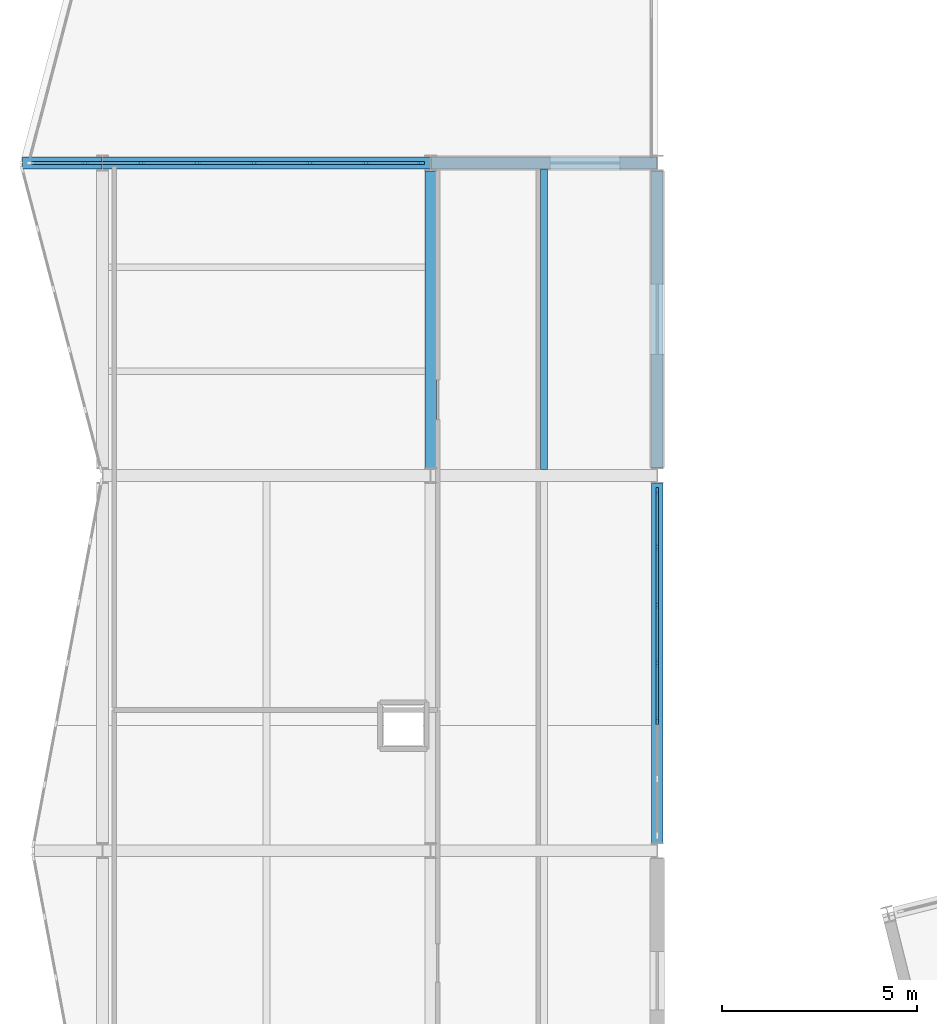
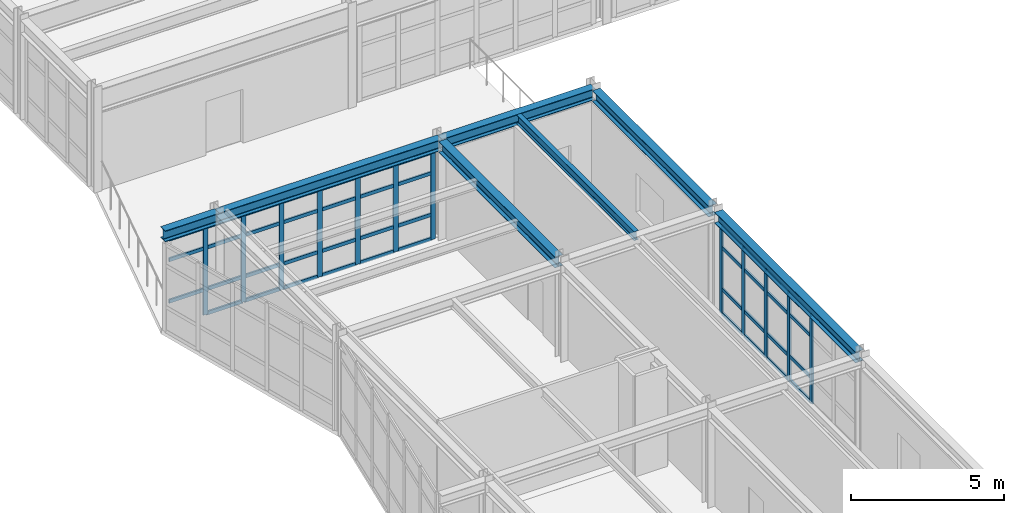
# One storey, part 13 of 47: 55 members, 7 beams, 2 elements without a shape of their own.
"""IFC4 building model written with IfcOpenShell, lengths in metres."""

from ifc_helpers import new_model, si_unit, direction, frame, origin, origin_2d, place, context, subcontext, project, spatial, rectangle, i_section, extrude, material, layer, layer_set, material_profile, profile_set, type_object, element, aggregate, save


model = new_model("IFC4")

# Units and contexts
model_context = context("Model", 3, precision=1e-05, world=origin(), true_north=direction((0.0, 1.0)))
body_context = subcontext(model_context, "Body", "Model", "MODEL_VIEW")
ifc_project = project(units=[si_unit("LENGTHUNIT", "METRE"), si_unit("AREAUNIT", "SQUARE_METRE"), si_unit("VOLUMEUNIT", "CUBIC_METRE"), si_unit("PLANEANGLEUNIT", "RADIAN"), si_unit("MASSUNIT", "GRAM", prefix="KILO")], contexts=[model_context])

# Site, building, storey
site_placement = place(None, origin())
site = spatial("IfcSite", under=ifc_project, at=site_placement, CompositionType="ELEMENT")
building_placement = place(site_placement, origin())
building = spatial("IfcBuilding", under=site, at=building_placement, Name="Nordkorset Police Headquarters", CompositionType="ELEMENT")
storey_placement = place(building_placement, frame((0.0, 0.0, 22.050048828125)))
storey = spatial("IfcBuildingStorey", under=building, at=storey_placement, Name="L05", CompositionType="ELEMENT", Elevation=22.050048828125)

# Beam
ifc_material_1 = material(Name="Steel S355J2", Category="steel")
ifc_material_profile_1 = material_profile(ifc_material_1, i_section(OverallWidth=0.169921875, OverallDepth=0.360107421875, WebThickness=0.008056640625, FlangeThickness=0.0126953125, FilletRadius=0.01806640625, at=origin_2d()), Name="IPE 360")
ifc_profile_set_1 = profile_set([ifc_material_profile_1], Name="Steel S355J2")
beam_type_1 = type_object("IfcBeamType", Name="Beam_IPE_360", PredefinedType="BEAM", material=ifc_profile_set_1)
beam_1_placement = place(storey_placement, frame((11.300048828125, 67.35009765625, 3.784912109375), z_axis=(0.0, 1.0, 0.0), x_axis=(-1.0, 0.0, 0.0)))
element("IfcBeam", 1, at=beam_1_placement, inside=storey, type_object=beam_type_1, Name="Composite Floor Beam V3 L05 1-4-1", PredefinedType="BEAM", context=body_context, shape_type="SweptSolid", body=[
    extrude(i_section(OverallWidth=0.169921875, OverallDepth=0.360107421875, WebThickness=0.008056640625, FlangeThickness=0.0126953125, FilletRadius=0.01806640625, at=origin_2d()), origin(), (0.0, 0.0, 1.0), 7.699951171875),
])

# Curtain wall, members
ifc_material_2 = material(Name="Aluminium alloy AW-6060", Category="aluminium")
ifc_layer_1 = layer(ifc_material_2, 0.179931640625, Name="Aluminium alloy AW-6060")
ifc_layer_set_1 = layer_set([ifc_layer_1], Name="Aluminium alloy AW-6060")
curtain_wall_type_1 = type_object("IfcCurtainWallType", Name="CW_Unit_888x350", PredefinedType="USERDEFINED", material=ifc_layer_set_1)
curtain_wall_1_placement = place(storey_placement, origin())
curtain_wall_1 = element("IfcCurtainWall", 2, at=curtain_wall_1_placement, inside=storey, type_object=curtain_wall_type_1, Name="Unitised Curtain Wall L05 V3E-3", ObjectType="UNITISED CURTAIN WALL", PredefinedType="USERDEFINED")
ifc_material_3 = material(Name="Aluminium alloy AW-6060", Category="aluminium")
ifc_material_profile_2 = material_profile(ifc_material_3, rectangle(XDim=0.06494140625, YDim=0.179931640625, at=origin_2d()), Name="ALU MULL 65x180")
ifc_profile_set_2 = profile_set([ifc_material_profile_2], Name="Aluminium alloy AW-6060")
member_type_1 = type_object("IfcMemberType", Name="CW_Mullion_65x180", PredefinedType="MULLION", material=ifc_profile_set_2)
member_1_placement = place(storey_placement, frame((14.199951171875, 60.919921875, 0.0), z_axis=(0.0, 0.0, 1.0), x_axis=(-1.0, 0.0, 0.0)))
member_1 = element("IfcMember", 3, at=member_1_placement, type_object=member_type_1, Name="CW-95 mullion 3", PredefinedType="MULLION", context=body_context, shape_type="SweptSolid", body=[
    extrude(rectangle(XDim=0.06494140625, YDim=0.179931640625, at=origin_2d()), origin(), (0.0, 0.0, 1.0), 3.5048828125),
])
member_2_placement = place(storey_placement, frame((14.199951171875, 62.39990234375, 0.0), z_axis=(0.0, 0.0, 1.0), x_axis=(-1.0, 0.0, 0.0)))
member_2 = element("IfcMember", 4, at=member_2_placement, type_object=member_type_1, Name="CW-95 mullion 4", PredefinedType="MULLION", context=body_context, shape_type="SweptSolid", body=[
    extrude(rectangle(XDim=0.06494140625, YDim=0.179931640625, at=origin_2d()), origin(), (0.0, 0.0, 1.0), 3.5048828125),
])
member_3_placement = place(storey_placement, frame((14.199951171875, 63.8798828125, 0.0), z_axis=(0.0, 0.0, 1.0), x_axis=(-1.0, 0.0, 0.0)))
member_3 = element("IfcMember", 5, at=member_3_placement, type_object=member_type_1, Name="CW-95 mullion 5", PredefinedType="MULLION", context=body_context, shape_type="SweptSolid", body=[
    extrude(rectangle(XDim=0.06494140625, YDim=0.179931640625, at=origin_2d()), origin(), (0.0, 0.0, 1.0), 3.5048828125),
])
member_4_placement = place(storey_placement, frame((14.199951171875, 65.360107421875, 0.0), z_axis=(0.0, 0.0, 1.0), x_axis=(-1.0, 0.0, 0.0)))
member_4 = element("IfcMember", 6, at=member_4_placement, type_object=member_type_1, Name="CW-95 mullion 6", PredefinedType="MULLION", context=body_context, shape_type="SweptSolid", body=[
    extrude(rectangle(XDim=0.06494140625, YDim=0.179931640625, at=origin_2d()), origin(), (0.0, 0.0, 1.0), 3.5048828125),
])
member_5_placement = place(storey_placement, frame((14.199951171875, 66.8076171875, 0.0), z_axis=(0.0, 0.0, 1.0), x_axis=(-1.0, 0.0, 0.0)))
member_5 = element("IfcMember", 7, at=member_5_placement, type_object=member_type_1, Name="CW-95 mullion 7", PredefinedType="MULLION", context=body_context, shape_type="SweptSolid", body=[
    extrude(rectangle(XDim=0.06494140625, YDim=0.179931640625, at=origin_2d()), origin(), (0.0, 0.0, 1.0), 3.5048828125),
])

ifc_material_4 = material(Name="Aluminium alloy AW-6060", Category="aluminium")
ifc_layer_2 = layer(ifc_material_4, 0.179931640625, Name="Aluminium alloy AW-6060")
ifc_layer_set_2 = layer_set([ifc_layer_2], Name="Aluminium alloy AW-6060")
curtain_wall_type_2 = type_object("IfcCurtainWallType", Name="CW_Unit_1006x350", PredefinedType="USERDEFINED", material=ifc_layer_set_2)
curtain_wall_2_placement = place(storey_placement, origin())
curtain_wall_2 = element("IfcCurtainWall", 8, at=curtain_wall_2_placement, inside=storey, type_object=curtain_wall_type_2, Name="Unitised Curtain Wall L05 V3N-L05A", ObjectType="UNITISED CURTAIN WALL", PredefinedType="USERDEFINED")
member_6_placement = place(storey_placement, frame((-0.44287109375, 75.199951171875, 0.0), z_axis=(0.0, 0.0, 1.0), x_axis=(0.0, 1.0, 0.0)))
member_6 = element("IfcMember", 9, at=member_6_placement, type_object=member_type_1, Name="CW-46 mullion 2", PredefinedType="MULLION", context=body_context, shape_type="SweptSolid", body=[
    extrude(rectangle(XDim=0.06494140625, YDim=0.179931640625, at=origin_2d()), origin(), (0.0, 0.0, 1.0), 3.5048828125),
])
member_7_placement = place(storey_placement, frame((0.994384765625, 75.199951171875, 0.0), z_axis=(0.0, 0.0, 1.0), x_axis=(0.0, 1.0, 0.0)))
member_7 = element("IfcMember", 10, at=member_7_placement, type_object=member_type_1, Name="CW-46 mullion 3", PredefinedType="MULLION", context=body_context, shape_type="SweptSolid", body=[
    extrude(rectangle(XDim=0.06494140625, YDim=0.179931640625, at=origin_2d()), origin(), (0.0, 0.0, 1.0), 3.5048828125),
])
member_8_placement = place(storey_placement, frame((2.431396484375, 75.199951171875, 0.0), z_axis=(0.0, 0.0, 1.0), x_axis=(0.0, 1.0, 0.0)))
member_8 = element("IfcMember", 11, at=member_8_placement, type_object=member_type_1, Name="CW-46 mullion 4", PredefinedType="MULLION", context=body_context, shape_type="SweptSolid", body=[
    extrude(rectangle(XDim=0.06494140625, YDim=0.179931640625, at=origin_2d()), origin(), (0.0, 0.0, 1.0), 3.5048828125),
])
member_9_placement = place(storey_placement, frame((3.86865234375, 75.199951171875, 0.0), z_axis=(0.0, 0.0, 1.0), x_axis=(0.0, 1.0, 0.0)))
member_9 = element("IfcMember", 12, at=member_9_placement, type_object=member_type_1, Name="CW-46 mullion 5", PredefinedType="MULLION", context=body_context, shape_type="SweptSolid", body=[
    extrude(rectangle(XDim=0.06494140625, YDim=0.179931640625, at=origin_2d()), origin(), (0.0, 0.0, 1.0), 3.5048828125),
])
member_10_placement = place(storey_placement, frame((5.3056640625, 75.199951171875, 0.0), z_axis=(0.0, 0.0, 1.0), x_axis=(0.0, 1.0, 0.0)))
member_10 = element("IfcMember", 13, at=member_10_placement, type_object=member_type_1, Name="CW-46 mullion 6", PredefinedType="MULLION", context=body_context, shape_type="SweptSolid", body=[
    extrude(rectangle(XDim=0.06494140625, YDim=0.179931640625, at=origin_2d()), origin(), (0.0, 0.0, 1.0), 3.5048828125),
])
member_11_placement = place(storey_placement, frame((6.742919921875, 75.199951171875, 0.0), z_axis=(0.0, 0.0, 1.0), x_axis=(0.0, 1.0, 0.0)))
member_11 = element("IfcMember", 14, at=member_11_placement, type_object=member_type_1, Name="CW-46 mullion 7", PredefinedType="MULLION", context=body_context, shape_type="SweptSolid", body=[
    extrude(rectangle(XDim=0.06494140625, YDim=0.179931640625, at=origin_2d()), origin(), (0.0, 0.0, 1.0), 3.5048828125),
])
member_12_placement = place(storey_placement, frame((8.1474609375, 75.199951171875, 0.0), z_axis=(0.0, 0.0, 1.0), x_axis=(0.0, 1.0, 0.0)))
member_12 = element("IfcMember", 15, at=member_12_placement, type_object=member_type_1, Name="CW-46 mullion 8", PredefinedType="MULLION", context=body_context, shape_type="SweptSolid", body=[
    extrude(rectangle(XDim=0.06494140625, YDim=0.179931640625, at=origin_2d()), origin(), (0.0, 0.0, 1.0), 3.5048828125),
])

# Member
ifc_material_5 = material(Name="Aluminium alloy AW-6060", Category="aluminium")
ifc_material_profile_3 = material_profile(ifc_material_5, rectangle(XDim=0.06494140625, YDim=0.139892578125, at=origin_2d()), Name="ALU TRAN 65x140")
ifc_profile_set_3 = profile_set([ifc_material_profile_3], Name="Aluminium alloy AW-6060")
member_type_2 = type_object("IfcMemberType", Name="CW_Transom_65x140", PredefinedType="USERDEFINED", material=ifc_profile_set_3)
member_13_placement = place(storey_placement, frame((14.199951171875, 60.952392578125, 0.032470703125), z_axis=(0.0, 1.0, 0.0), x_axis=(-1.0, 0.0, 0.0)))
member_13 = element("IfcMember", 16, at=member_13_placement, type_object=member_type_2, Name="CW-95 transom 3.1", ObjectType="TRANSOM", PredefinedType="USERDEFINED", context=body_context, shape_type="SweptSolid", body=[
    extrude(rectangle(XDim=0.06494140625, YDim=0.139892578125, at=origin_2d()), origin(), (0.0, 0.0, 1.0), 1.4150390625),
])

member_14_placement = place(storey_placement, frame((14.199951171875, 60.952392578125, 1.0), z_axis=(0.0, 1.0, 0.0), x_axis=(-1.0, 0.0, 0.0)))
member_14 = element("IfcMember", 17, at=member_14_placement, type_object=member_type_2, Name="CW-95 transom 3.2", ObjectType="TRANSOM", PredefinedType="USERDEFINED", context=body_context, shape_type="SweptSolid", body=[
    extrude(rectangle(XDim=0.06494140625, YDim=0.139892578125, at=origin_2d()), origin(), (0.0, 0.0, 1.0), 1.4150390625),
])

member_15_placement = place(storey_placement, frame((14.199951171875, 60.952392578125, 2.655029296875), z_axis=(0.0, 1.0, 0.0), x_axis=(-1.0, 0.0, 0.0)))
member_15 = element("IfcMember", 18, at=member_15_placement, type_object=member_type_2, Name="CW-95 transom 3.3", ObjectType="TRANSOM", PredefinedType="USERDEFINED", context=body_context, shape_type="SweptSolid", body=[
    extrude(rectangle(XDim=0.06494140625, YDim=0.139892578125, at=origin_2d()), origin(), (0.0, 0.0, 1.0), 1.4150390625),
])

member_16_placement = place(storey_placement, frame((14.199951171875, 60.952392578125, 3.472412109375), z_axis=(0.0, 1.0, 0.0), x_axis=(-1.0, 0.0, 0.0)))
member_16 = element("IfcMember", 19, at=member_16_placement, type_object=member_type_2, Name="CW-95 transom 3.4", ObjectType="TRANSOM", PredefinedType="USERDEFINED", context=body_context, shape_type="SweptSolid", body=[
    extrude(rectangle(XDim=0.06494140625, YDim=0.139892578125, at=origin_2d()), origin(), (0.0, 0.0, 1.0), 1.4150390625),
])

member_17_placement = place(storey_placement, frame((14.199951171875, 62.4326171875, 0.032470703125), z_axis=(0.0, 1.0, 0.0), x_axis=(-1.0, 0.0, 0.0)))
member_17 = element("IfcMember", 20, at=member_17_placement, type_object=member_type_2, Name="CW-95 transom 4.1", ObjectType="TRANSOM", PredefinedType="USERDEFINED", context=body_context, shape_type="SweptSolid", body=[
    extrude(rectangle(XDim=0.06494140625, YDim=0.139892578125, at=origin_2d()), origin(), (0.0, 0.0, 1.0), 1.414794921875),
])

member_18_placement = place(storey_placement, frame((14.199951171875, 62.4326171875, 1.0), z_axis=(0.0, 1.0, 0.0), x_axis=(-1.0, 0.0, 0.0)))
member_18 = element("IfcMember", 21, at=member_18_placement, type_object=member_type_2, Name="CW-95 transom 4.2", ObjectType="TRANSOM", PredefinedType="USERDEFINED", context=body_context, shape_type="SweptSolid", body=[
    extrude(rectangle(XDim=0.06494140625, YDim=0.139892578125, at=origin_2d()), origin(), (0.0, 0.0, 1.0), 1.414794921875),
])

member_19_placement = place(storey_placement, frame((14.199951171875, 62.4326171875, 2.655029296875), z_axis=(0.0, 1.0, 0.0), x_axis=(-1.0, 0.0, 0.0)))
member_19 = element("IfcMember", 22, at=member_19_placement, type_object=member_type_2, Name="CW-95 transom 4.3", ObjectType="TRANSOM", PredefinedType="USERDEFINED", context=body_context, shape_type="SweptSolid", body=[
    extrude(rectangle(XDim=0.06494140625, YDim=0.139892578125, at=origin_2d()), origin(), (0.0, 0.0, 1.0), 1.414794921875),
])

member_20_placement = place(storey_placement, frame((14.199951171875, 62.4326171875, 3.472412109375), z_axis=(0.0, 1.0, 0.0), x_axis=(-1.0, 0.0, 0.0)))
member_20 = element("IfcMember", 23, at=member_20_placement, type_object=member_type_2, Name="CW-95 transom 4.4", ObjectType="TRANSOM", PredefinedType="USERDEFINED", context=body_context, shape_type="SweptSolid", body=[
    extrude(rectangle(XDim=0.06494140625, YDim=0.139892578125, at=origin_2d()), origin(), (0.0, 0.0, 1.0), 1.414794921875),
])

member_21_placement = place(storey_placement, frame((14.199951171875, 63.91259765625, 0.032470703125), z_axis=(0.0, 1.0, 0.0), x_axis=(-1.0, 0.0, 0.0)))
member_21 = element("IfcMember", 24, at=member_21_placement, type_object=member_type_2, Name="CW-95 transom 5.1", ObjectType="TRANSOM", PredefinedType="USERDEFINED", context=body_context, shape_type="SweptSolid", body=[
    extrude(rectangle(XDim=0.06494140625, YDim=0.139892578125, at=origin_2d()), origin(), (0.0, 0.0, 1.0), 1.414794921875),
])

member_22_placement = place(storey_placement, frame((14.199951171875, 63.91259765625, 1.0), z_axis=(0.0, 1.0, 0.0), x_axis=(-1.0, 0.0, 0.0)))
member_22 = element("IfcMember", 25, at=member_22_placement, type_object=member_type_2, Name="CW-95 transom 5.2", ObjectType="TRANSOM", PredefinedType="USERDEFINED", context=body_context, shape_type="SweptSolid", body=[
    extrude(rectangle(XDim=0.06494140625, YDim=0.139892578125, at=origin_2d()), origin(), (0.0, 0.0, 1.0), 1.414794921875),
])

member_23_placement = place(storey_placement, frame((14.199951171875, 63.91259765625, 2.655029296875), z_axis=(0.0, 1.0, 0.0), x_axis=(-1.0, 0.0, 0.0)))
member_23 = element("IfcMember", 26, at=member_23_placement, type_object=member_type_2, Name="CW-95 transom 5.3", ObjectType="TRANSOM", PredefinedType="USERDEFINED", context=body_context, shape_type="SweptSolid", body=[
    extrude(rectangle(XDim=0.06494140625, YDim=0.139892578125, at=origin_2d()), origin(), (0.0, 0.0, 1.0), 1.414794921875),
])

member_24_placement = place(storey_placement, frame((14.199951171875, 63.91259765625, 3.472412109375), z_axis=(0.0, 1.0, 0.0), x_axis=(-1.0, 0.0, 0.0)))
member_24 = element("IfcMember", 27, at=member_24_placement, type_object=member_type_2, Name="CW-95 transom 5.4", ObjectType="TRANSOM", PredefinedType="USERDEFINED", context=body_context, shape_type="SweptSolid", body=[
    extrude(rectangle(XDim=0.06494140625, YDim=0.139892578125, at=origin_2d()), origin(), (0.0, 0.0, 1.0), 1.414794921875),
])

member_25_placement = place(storey_placement, frame((14.199951171875, 65.392578125, 0.032470703125), z_axis=(0.0, 1.0, 0.0), x_axis=(-1.0, 0.0, 0.0)))
member_25 = element("IfcMember", 28, at=member_25_placement, type_object=member_type_2, Name="CW-95 transom 6.1", ObjectType="TRANSOM", PredefinedType="USERDEFINED", context=body_context, shape_type="SweptSolid", body=[
    extrude(rectangle(XDim=0.06494140625, YDim=0.139892578125, at=origin_2d()), origin(), (0.0, 0.0, 1.0), 1.38232421875),
])

member_26_placement = place(storey_placement, frame((14.199951171875, 65.392578125, 1.0), z_axis=(0.0, 1.0, 0.0), x_axis=(-1.0, 0.0, 0.0)))
member_26 = element("IfcMember", 29, at=member_26_placement, type_object=member_type_2, Name="CW-95 transom 6.2", ObjectType="TRANSOM", PredefinedType="USERDEFINED", context=body_context, shape_type="SweptSolid", body=[
    extrude(rectangle(XDim=0.06494140625, YDim=0.139892578125, at=origin_2d()), origin(), (0.0, 0.0, 1.0), 1.38232421875),
])

member_27_placement = place(storey_placement, frame((14.199951171875, 65.392578125, 2.655029296875), z_axis=(0.0, 1.0, 0.0), x_axis=(-1.0, 0.0, 0.0)))
member_27 = element("IfcMember", 30, at=member_27_placement, type_object=member_type_2, Name="CW-95 transom 6.3", ObjectType="TRANSOM", PredefinedType="USERDEFINED", context=body_context, shape_type="SweptSolid", body=[
    extrude(rectangle(XDim=0.06494140625, YDim=0.139892578125, at=origin_2d()), origin(), (0.0, 0.0, 1.0), 1.38232421875),
])

member_28_placement = place(storey_placement, frame((14.199951171875, 65.392578125, 3.472412109375), z_axis=(0.0, 1.0, 0.0), x_axis=(-1.0, 0.0, 0.0)))
member_28 = element("IfcMember", 31, at=member_28_placement, type_object=member_type_2, Name="CW-95 transom 6.4", ObjectType="TRANSOM", PredefinedType="USERDEFINED", context=body_context, shape_type="SweptSolid", body=[
    extrude(rectangle(XDim=0.06494140625, YDim=0.139892578125, at=origin_2d()), origin(), (0.0, 0.0, 1.0), 1.38232421875),
])

aggregate(curtain_wall_1, [member_1, member_2, member_3, member_4, member_5, member_13, member_14, member_15, member_16, member_17, member_18, member_19, member_20, member_21, member_22, member_23, member_24, member_25, member_26, member_27, member_28])

member_29_placement = place(storey_placement, frame((-1.81494140625, 75.199951171875, 1.0), z_axis=(1.0, 0.0, 0.0), x_axis=(0.0, 1.0, 0.0)))
member_29 = element("IfcMember", 32, at=member_29_placement, type_object=member_type_2, Name="CW-46 transom 1.2", ObjectType="TRANSOM", PredefinedType="USERDEFINED", context=body_context, shape_type="SweptSolid", body=[
    extrude(rectangle(XDim=0.06494140625, YDim=0.139892578125, at=origin_2d()), origin(), (0.0, 0.0, 1.0), 1.339599609375),
])

member_30_placement = place(storey_placement, frame((-1.81494140625, 75.199951171875, 2.655029296875), z_axis=(1.0, 0.0, 0.0), x_axis=(0.0, 1.0, 0.0)))
member_30 = element("IfcMember", 33, at=member_30_placement, type_object=member_type_2, Name="CW-46 transom 1.3", ObjectType="TRANSOM", PredefinedType="USERDEFINED", context=body_context, shape_type="SweptSolid", body=[
    extrude(rectangle(XDim=0.06494140625, YDim=0.139892578125, at=origin_2d()), origin(), (0.0, 0.0, 1.0), 1.339599609375),
])

member_31_placement = place(storey_placement, frame((-1.81494140625, 75.199951171875, 3.472412109375), z_axis=(1.0, 0.0, 0.0), x_axis=(0.0, 1.0, 0.0)))
member_31 = element("IfcMember", 34, at=member_31_placement, type_object=member_type_2, Name="CW-46 transom 1.4", ObjectType="TRANSOM", PredefinedType="USERDEFINED", context=body_context, shape_type="SweptSolid", body=[
    extrude(rectangle(XDim=0.06494140625, YDim=0.139892578125, at=origin_2d()), origin(), (0.0, 0.0, 1.0), 1.339599609375),
])

member_32_placement = place(storey_placement, frame((-0.410400390625, 75.199951171875, 0.032470703125), z_axis=(1.0, 0.0, 0.0), x_axis=(0.0, 1.0, 0.0)))
member_32 = element("IfcMember", 35, at=member_32_placement, type_object=member_type_2, Name="CW-46 transom 2.1", ObjectType="TRANSOM", PredefinedType="USERDEFINED", context=body_context, shape_type="SweptSolid", body=[
    extrude(rectangle(XDim=0.06494140625, YDim=0.139892578125, at=origin_2d()), origin(), (0.0, 0.0, 1.0), 1.3720703125),
])

member_33_placement = place(storey_placement, frame((-0.410400390625, 75.199951171875, 1.0), z_axis=(1.0, 0.0, 0.0), x_axis=(0.0, 1.0, 0.0)))
member_33 = element("IfcMember", 36, at=member_33_placement, type_object=member_type_2, Name="CW-46 transom 2.2", ObjectType="TRANSOM", PredefinedType="USERDEFINED", context=body_context, shape_type="SweptSolid", body=[
    extrude(rectangle(XDim=0.06494140625, YDim=0.139892578125, at=origin_2d()), origin(), (0.0, 0.0, 1.0), 1.3720703125),
])

member_34_placement = place(storey_placement, frame((-0.410400390625, 75.199951171875, 2.655029296875), z_axis=(1.0, 0.0, 0.0), x_axis=(0.0, 1.0, 0.0)))
member_34 = element("IfcMember", 37, at=member_34_placement, type_object=member_type_2, Name="CW-46 transom 2.3", ObjectType="TRANSOM", PredefinedType="USERDEFINED", context=body_context, shape_type="SweptSolid", body=[
    extrude(rectangle(XDim=0.06494140625, YDim=0.139892578125, at=origin_2d()), origin(), (0.0, 0.0, 1.0), 1.3720703125),
])

member_35_placement = place(storey_placement, frame((-0.410400390625, 75.199951171875, 3.472412109375), z_axis=(1.0, 0.0, 0.0), x_axis=(0.0, 1.0, 0.0)))
member_35 = element("IfcMember", 38, at=member_35_placement, type_object=member_type_2, Name="CW-46 transom 2.4", ObjectType="TRANSOM", PredefinedType="USERDEFINED", context=body_context, shape_type="SweptSolid", body=[
    extrude(rectangle(XDim=0.06494140625, YDim=0.139892578125, at=origin_2d()), origin(), (0.0, 0.0, 1.0), 1.3720703125),
])

member_36_placement = place(storey_placement, frame((1.02685546875, 75.199951171875, 0.032470703125), z_axis=(1.0, 0.0, 0.0), x_axis=(0.0, 1.0, 0.0)))
member_36 = element("IfcMember", 39, at=member_36_placement, type_object=member_type_2, Name="CW-46 transom 3.1", ObjectType="TRANSOM", PredefinedType="USERDEFINED", context=body_context, shape_type="SweptSolid", body=[
    extrude(rectangle(XDim=0.06494140625, YDim=0.139892578125, at=origin_2d()), origin(), (0.0, 0.0, 1.0), 1.3720703125),
])

member_37_placement = place(storey_placement, frame((1.02685546875, 75.199951171875, 1.0), z_axis=(1.0, 0.0, 0.0), x_axis=(0.0, 1.0, 0.0)))
member_37 = element("IfcMember", 40, at=member_37_placement, type_object=member_type_2, Name="CW-46 transom 3.2", ObjectType="TRANSOM", PredefinedType="USERDEFINED", context=body_context, shape_type="SweptSolid", body=[
    extrude(rectangle(XDim=0.06494140625, YDim=0.139892578125, at=origin_2d()), origin(), (0.0, 0.0, 1.0), 1.3720703125),
])

member_38_placement = place(storey_placement, frame((1.02685546875, 75.199951171875, 2.655029296875), z_axis=(1.0, 0.0, 0.0), x_axis=(0.0, 1.0, 0.0)))
member_38 = element("IfcMember", 41, at=member_38_placement, type_object=member_type_2, Name="CW-46 transom 3.3", ObjectType="TRANSOM", PredefinedType="USERDEFINED", context=body_context, shape_type="SweptSolid", body=[
    extrude(rectangle(XDim=0.06494140625, YDim=0.139892578125, at=origin_2d()), origin(), (0.0, 0.0, 1.0), 1.3720703125),
])

member_39_placement = place(storey_placement, frame((1.02685546875, 75.199951171875, 3.472412109375), z_axis=(1.0, 0.0, 0.0), x_axis=(0.0, 1.0, 0.0)))
member_39 = element("IfcMember", 42, at=member_39_placement, type_object=member_type_2, Name="CW-46 transom 3.4", ObjectType="TRANSOM", PredefinedType="USERDEFINED", context=body_context, shape_type="SweptSolid", body=[
    extrude(rectangle(XDim=0.06494140625, YDim=0.139892578125, at=origin_2d()), origin(), (0.0, 0.0, 1.0), 1.3720703125),
])

member_40_placement = place(storey_placement, frame((2.4638671875, 75.199951171875, 0.032470703125), z_axis=(1.0, 0.0, 0.0), x_axis=(0.0, 1.0, 0.0)))
member_40 = element("IfcMember", 43, at=member_40_placement, type_object=member_type_2, Name="CW-46 transom 4.1", ObjectType="TRANSOM", PredefinedType="USERDEFINED", context=body_context, shape_type="SweptSolid", body=[
    extrude(rectangle(XDim=0.06494140625, YDim=0.139892578125, at=origin_2d()), origin(), (0.0, 0.0, 1.0), 1.372314453125),
])

member_41_placement = place(storey_placement, frame((2.4638671875, 75.199951171875, 1.0), z_axis=(1.0, 0.0, 0.0), x_axis=(0.0, 1.0, 0.0)))
member_41 = element("IfcMember", 44, at=member_41_placement, type_object=member_type_2, Name="CW-46 transom 4.2", ObjectType="TRANSOM", PredefinedType="USERDEFINED", context=body_context, shape_type="SweptSolid", body=[
    extrude(rectangle(XDim=0.06494140625, YDim=0.139892578125, at=origin_2d()), origin(), (0.0, 0.0, 1.0), 1.372314453125),
])

member_42_placement = place(storey_placement, frame((2.4638671875, 75.199951171875, 2.655029296875), z_axis=(1.0, 0.0, 0.0), x_axis=(0.0, 1.0, 0.0)))
member_42 = element("IfcMember", 45, at=member_42_placement, type_object=member_type_2, Name="CW-46 transom 4.3", ObjectType="TRANSOM", PredefinedType="USERDEFINED", context=body_context, shape_type="SweptSolid", body=[
    extrude(rectangle(XDim=0.06494140625, YDim=0.139892578125, at=origin_2d()), origin(), (0.0, 0.0, 1.0), 1.372314453125),
])

member_43_placement = place(storey_placement, frame((2.4638671875, 75.199951171875, 3.472412109375), z_axis=(1.0, 0.0, 0.0), x_axis=(0.0, 1.0, 0.0)))
member_43 = element("IfcMember", 46, at=member_43_placement, type_object=member_type_2, Name="CW-46 transom 4.4", ObjectType="TRANSOM", PredefinedType="USERDEFINED", context=body_context, shape_type="SweptSolid", body=[
    extrude(rectangle(XDim=0.06494140625, YDim=0.139892578125, at=origin_2d()), origin(), (0.0, 0.0, 1.0), 1.372314453125),
])

member_44_placement = place(storey_placement, frame((3.901123046875, 75.199951171875, 0.032470703125), z_axis=(1.0, 0.0, 0.0), x_axis=(0.0, 1.0, 0.0)))
member_44 = element("IfcMember", 47, at=member_44_placement, type_object=member_type_2, Name="CW-46 transom 5.1", ObjectType="TRANSOM", PredefinedType="USERDEFINED", context=body_context, shape_type="SweptSolid", body=[
    extrude(rectangle(XDim=0.06494140625, YDim=0.139892578125, at=origin_2d()), origin(), (0.0, 0.0, 1.0), 1.3720703125),
])

member_45_placement = place(storey_placement, frame((3.901123046875, 75.199951171875, 1.0), z_axis=(1.0, 0.0, 0.0), x_axis=(0.0, 1.0, 0.0)))
member_45 = element("IfcMember", 48, at=member_45_placement, type_object=member_type_2, Name="CW-46 transom 5.2", ObjectType="TRANSOM", PredefinedType="USERDEFINED", context=body_context, shape_type="SweptSolid", body=[
    extrude(rectangle(XDim=0.06494140625, YDim=0.139892578125, at=origin_2d()), origin(), (0.0, 0.0, 1.0), 1.3720703125),
])

member_46_placement = place(storey_placement, frame((3.901123046875, 75.199951171875, 2.655029296875), z_axis=(1.0, 0.0, 0.0), x_axis=(0.0, 1.0, 0.0)))
member_46 = element("IfcMember", 49, at=member_46_placement, type_object=member_type_2, Name="CW-46 transom 5.3", ObjectType="TRANSOM", PredefinedType="USERDEFINED", context=body_context, shape_type="SweptSolid", body=[
    extrude(rectangle(XDim=0.06494140625, YDim=0.139892578125, at=origin_2d()), origin(), (0.0, 0.0, 1.0), 1.3720703125),
])

member_47_placement = place(storey_placement, frame((3.901123046875, 75.199951171875, 3.472412109375), z_axis=(1.0, 0.0, 0.0), x_axis=(0.0, 1.0, 0.0)))
member_47 = element("IfcMember", 50, at=member_47_placement, type_object=member_type_2, Name="CW-46 transom 5.4", ObjectType="TRANSOM", PredefinedType="USERDEFINED", context=body_context, shape_type="SweptSolid", body=[
    extrude(rectangle(XDim=0.06494140625, YDim=0.139892578125, at=origin_2d()), origin(), (0.0, 0.0, 1.0), 1.3720703125),
])

member_48_placement = place(storey_placement, frame((5.338134765625, 75.199951171875, 0.032470703125), z_axis=(1.0, 0.0, 0.0), x_axis=(0.0, 1.0, 0.0)))
member_48 = element("IfcMember", 51, at=member_48_placement, type_object=member_type_2, Name="CW-46 transom 6.1", ObjectType="TRANSOM", PredefinedType="USERDEFINED", context=body_context, shape_type="SweptSolid", body=[
    extrude(rectangle(XDim=0.06494140625, YDim=0.139892578125, at=origin_2d()), origin(), (0.0, 0.0, 1.0), 1.372314453125),
])

member_49_placement = place(storey_placement, frame((5.338134765625, 75.199951171875, 1.0), z_axis=(1.0, 0.0, 0.0), x_axis=(0.0, 1.0, 0.0)))
member_49 = element("IfcMember", 52, at=member_49_placement, type_object=member_type_2, Name="CW-46 transom 6.2", ObjectType="TRANSOM", PredefinedType="USERDEFINED", context=body_context, shape_type="SweptSolid", body=[
    extrude(rectangle(XDim=0.06494140625, YDim=0.139892578125, at=origin_2d()), origin(), (0.0, 0.0, 1.0), 1.372314453125),
])

member_50_placement = place(storey_placement, frame((5.338134765625, 75.199951171875, 2.655029296875), z_axis=(1.0, 0.0, 0.0), x_axis=(0.0, 1.0, 0.0)))
member_50 = element("IfcMember", 53, at=member_50_placement, type_object=member_type_2, Name="CW-46 transom 6.3", ObjectType="TRANSOM", PredefinedType="USERDEFINED", context=body_context, shape_type="SweptSolid", body=[
    extrude(rectangle(XDim=0.06494140625, YDim=0.139892578125, at=origin_2d()), origin(), (0.0, 0.0, 1.0), 1.372314453125),
])

member_51_placement = place(storey_placement, frame((5.338134765625, 75.199951171875, 3.472412109375), z_axis=(1.0, 0.0, 0.0), x_axis=(0.0, 1.0, 0.0)))
member_51 = element("IfcMember", 54, at=member_51_placement, type_object=member_type_2, Name="CW-46 transom 6.4", ObjectType="TRANSOM", PredefinedType="USERDEFINED", context=body_context, shape_type="SweptSolid", body=[
    extrude(rectangle(XDim=0.06494140625, YDim=0.139892578125, at=origin_2d()), origin(), (0.0, 0.0, 1.0), 1.372314453125),
])

member_52_placement = place(storey_placement, frame((6.775390625, 75.199951171875, 0.032470703125), z_axis=(1.0, 0.0, 0.0), x_axis=(0.0, 1.0, 0.0)))
member_52 = element("IfcMember", 55, at=member_52_placement, type_object=member_type_2, Name="CW-46 transom 7.1", ObjectType="TRANSOM", PredefinedType="USERDEFINED", context=body_context, shape_type="SweptSolid", body=[
    extrude(rectangle(XDim=0.06494140625, YDim=0.139892578125, at=origin_2d()), origin(), (0.0, 0.0, 1.0), 1.339599609375),
])

member_53_placement = place(storey_placement, frame((6.775390625, 75.199951171875, 1.0), z_axis=(1.0, 0.0, 0.0), x_axis=(0.0, 1.0, 0.0)))
member_53 = element("IfcMember", 56, at=member_53_placement, type_object=member_type_2, Name="CW-46 transom 7.2", ObjectType="TRANSOM", PredefinedType="USERDEFINED", context=body_context, shape_type="SweptSolid", body=[
    extrude(rectangle(XDim=0.06494140625, YDim=0.139892578125, at=origin_2d()), origin(), (0.0, 0.0, 1.0), 1.339599609375),
])

member_54_placement = place(storey_placement, frame((6.775390625, 75.199951171875, 2.655029296875), z_axis=(1.0, 0.0, 0.0), x_axis=(0.0, 1.0, 0.0)))
member_54 = element("IfcMember", 57, at=member_54_placement, type_object=member_type_2, Name="CW-46 transom 7.3", ObjectType="TRANSOM", PredefinedType="USERDEFINED", context=body_context, shape_type="SweptSolid", body=[
    extrude(rectangle(XDim=0.06494140625, YDim=0.139892578125, at=origin_2d()), origin(), (0.0, 0.0, 1.0), 1.339599609375),
])

member_55_placement = place(storey_placement, frame((6.775390625, 75.199951171875, 3.472412109375), z_axis=(1.0, 0.0, 0.0), x_axis=(0.0, 1.0, 0.0)))
member_55 = element("IfcMember", 58, at=member_55_placement, type_object=member_type_2, Name="CW-46 transom 7.4", ObjectType="TRANSOM", PredefinedType="USERDEFINED", context=body_context, shape_type="SweptSolid", body=[
    extrude(rectangle(XDim=0.06494140625, YDim=0.139892578125, at=origin_2d()), origin(), (0.0, 0.0, 1.0), 1.339599609375),
])

aggregate(curtain_wall_2, [member_6, member_7, member_8, member_9, member_10, member_11, member_12, member_29, member_30, member_31, member_32, member_33, member_34, member_35, member_36, member_37, member_38, member_39, member_40, member_41, member_42, member_43, member_44, member_45, member_46, member_47, member_48, member_49, member_50, member_51, member_52, member_53, member_54, member_55])

# Beams
ifc_material_6 = material(Name="Steel S355J2", Category="steel")
ifc_material_profile_4 = material_profile(ifc_material_6, i_section(OverallWidth=0.300048828125, OverallDepth=0.43994140625, WebThickness=0.011474609375, FlangeThickness=0.02099609375, FilletRadius=0.027099609375, at=origin_2d()), Name="HEA 450")
ifc_profile_set_4 = profile_set([ifc_material_profile_4], Name="Steel S355J2")
beam_type_2 = type_object("IfcBeamType", Name="Girder_HEA_450", PredefinedType="USERDEFINED", material=ifc_profile_set_4)
beam_2_placement = place(storey_placement, frame((0.006591796875, 75.199951171875, 3.744873046875), z_axis=(1.0, 0.0, 0.0), x_axis=(0.0, 1.0, 0.0)))
element("IfcBeam", 59, at=beam_2_placement, inside=storey, type_object=beam_type_2, Name="Girder V3 L05 GX-5-0", ObjectType="GIRDER", PredefinedType="USERDEFINED", context=body_context, shape_type="SweptSolid", body=[
    extrude(i_section(OverallWidth=0.300048828125, OverallDepth=0.43994140625, WebThickness=0.011474609375, FlangeThickness=0.02099609375, FilletRadius=0.027099609375, at=origin_2d()), origin(), (0.0, 0.0, 1.0), 8.38671875),
])
beam_3_placement = place(storey_placement, frame((8.40673828125, 75.199951171875, 3.744873046875), z_axis=(1.0, 0.0, 0.0), x_axis=(0.0, 1.0, 0.0)))
element("IfcBeam", 60, at=beam_3_placement, inside=storey, type_object=beam_type_2, Name="Girder V3 L05 GX-5-1", ObjectType="GIRDER", PredefinedType="USERDEFINED", context=body_context, shape_type="SweptSolid", body=[
    extrude(i_section(OverallWidth=0.300048828125, OverallDepth=0.43994140625, WebThickness=0.011474609375, FlangeThickness=0.02099609375, FilletRadius=0.027099609375, at=origin_2d()), origin(), (0.0, 0.0, 1.0), 5.78662109375),
])
beam_4_placement = place(storey_placement, frame((8.39990234375, 67.39990234375, 3.744873046875), z_axis=(0.0, 1.0, 0.0), x_axis=(-1.0, 0.0, 0.0)))
element("IfcBeam", 61, at=beam_4_placement, inside=storey, type_object=beam_type_2, Name="Girder V3 L05 GY-1-4", ObjectType="GIRDER", PredefinedType="USERDEFINED", context=body_context, shape_type="SweptSolid", body=[
    extrude(i_section(OverallWidth=0.300048828125, OverallDepth=0.43994140625, WebThickness=0.011474609375, FlangeThickness=0.02099609375, FilletRadius=0.027099609375, at=origin_2d()), origin(), (0.0, 0.0, 1.0), 7.60009765625),
])
beam_5_placement = place(storey_placement, frame((14.199951171875, 57.800048828125, 3.744873046875), z_axis=(0.0, 1.0, 0.0), x_axis=(-1.0, 0.0, 0.0)))
element("IfcBeam", 62, at=beam_5_placement, inside=storey, type_object=beam_type_2, Name="Girder V3 L05 GY-2-3", ObjectType="GIRDER", PredefinedType="USERDEFINED", context=body_context, shape_type="SweptSolid", body=[
    extrude(i_section(OverallWidth=0.300048828125, OverallDepth=0.43994140625, WebThickness=0.011474609375, FlangeThickness=0.02099609375, FilletRadius=0.027099609375, at=origin_2d()), origin(), (0.0, 0.0, 1.0), 9.199951171875),
])
beam_6_placement = place(storey_placement, frame((14.199951171875, 67.39990234375, 3.744873046875), z_axis=(0.0, 1.0, 0.0), x_axis=(-1.0, 0.0, 0.0)))
element("IfcBeam", 63, at=beam_6_placement, inside=storey, type_object=beam_type_2, Name="Girder V3 L05 GY-2-4", ObjectType="GIRDER", PredefinedType="USERDEFINED", context=body_context, shape_type="SweptSolid", body=[
    extrude(i_section(OverallWidth=0.300048828125, OverallDepth=0.43994140625, WebThickness=0.011474609375, FlangeThickness=0.02099609375, FilletRadius=0.027099609375, at=origin_2d()), origin(), (0.0, 0.0, 1.0), 7.60009765625),
])
beam_7_placement = place(storey_placement, frame((-0.006591796875, 75.199951171875, 3.744873046875), z_axis=(-1.0, 0.0, 0.0), x_axis=(0.0, -1.0, 0.0)))
element("IfcBeam", 64, at=beam_7_placement, inside=storey, type_object=beam_type_2, Name="Sawtooth Facade Outrigger V3 L05 75", ObjectType="GIRDER", PredefinedType="USERDEFINED", context=body_context, shape_type="SweptSolid", body=[
    extrude(i_section(OverallWidth=0.300048828125, OverallDepth=0.43994140625, WebThickness=0.011474609375, FlangeThickness=0.02099609375, FilletRadius=0.027099609375, at=origin_2d()), origin(), (0.0, 0.0, 1.0), 2.033447265625),
])

save(model, "model.ifc")
